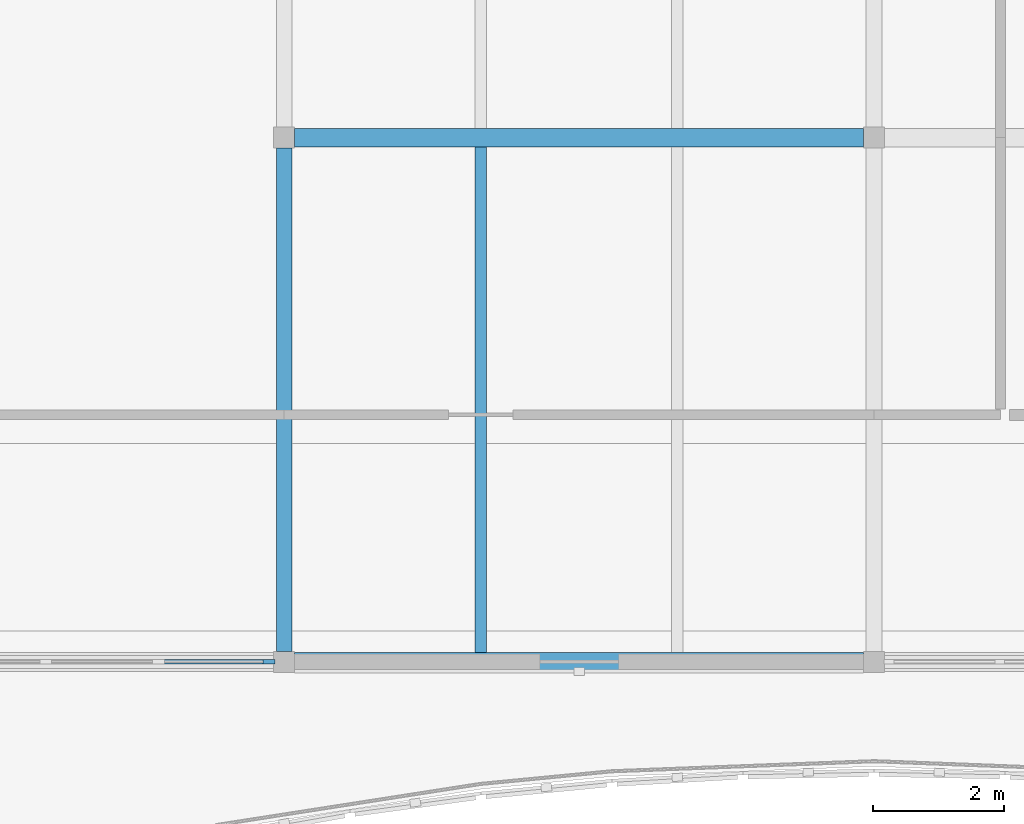
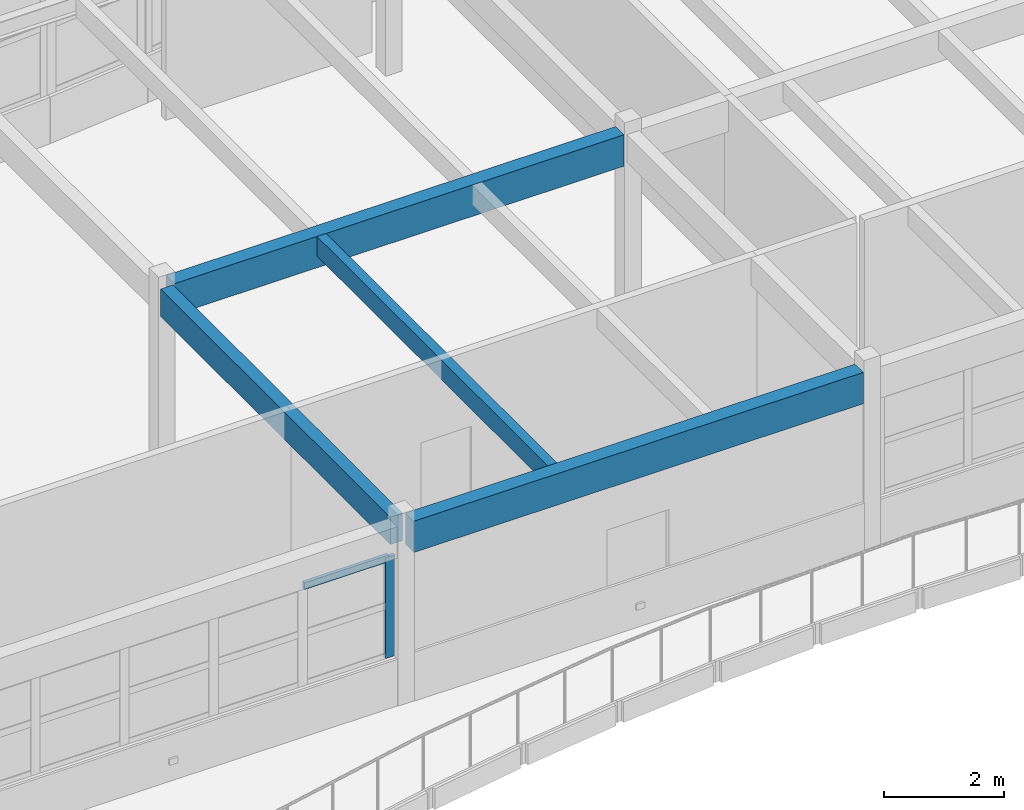
# One storey, part 3 of 33: 4 beams, 2 members, 1 element without a shape of its own.
"""IFC4 building model written with IfcOpenShell, lengths in metres."""

from ifc_helpers import new_model, si_unit, direction, frame, origin, origin_2d, place, context, subcontext, project, spatial, rectangle, extrude, material, layer, layer_set, material_profile, profile_set, type_object, element, aggregate, save


model = new_model("IFC4")

# Units and contexts
model_context = context("Model", 3, precision=1e-05, world=origin(), true_north=direction((0.0, 1.0)))
body_context = subcontext(model_context, "Body", "Model", "MODEL_VIEW")
ifc_project = project(units=[si_unit("LENGTHUNIT", "METRE"), si_unit("AREAUNIT", "SQUARE_METRE"), si_unit("VOLUMEUNIT", "CUBIC_METRE"), si_unit("PLANEANGLEUNIT", "RADIAN"), si_unit("MASSUNIT", "GRAM", prefix="KILO")], contexts=[model_context])

# Site, building, storey
site_placement = place(None, origin())
site = spatial("IfcSite", under=ifc_project, at=site_placement, CompositionType="ELEMENT")
building_placement = place(site_placement, origin())
building = spatial("IfcBuilding", under=site, at=building_placement, Name="Tonlespit Floodbar School", CompositionType="ELEMENT")
storey_placement = place(building_placement, frame((0.0, 0.0, 16.199951171875)))
storey = spatial("IfcBuildingStorey", under=building, at=storey_placement, Name="L04", CompositionType="ELEMENT", Elevation=16.199951171875)

# Beams
ifc_material_1 = material(Name="Glulam GL28h", Category="wood")
ifc_material_profile_1 = material_profile(ifc_material_1, rectangle(XDim=0.239990234375, YDim=0.56005859375, at=origin_2d()), Name="GL 240x560")
ifc_profile_set_1 = profile_set([ifc_material_profile_1], Name="Glulam GL28h")
beam_type_1 = type_object("IfcBeamType", Name="Beam_GL_240x560", PredefinedType="BEAM", material=ifc_profile_set_1)
beam_1_placement = place(storey_placement, frame((71.0, 104.159912109375, 3.3681640625), z_axis=(0.0, 1.0, 0.0), x_axis=(-1.0, 0.0, 0.0)))
element("IfcBeam", 1, at=beam_1_placement, inside=storey, type_object=beam_type_1, Name="L04 girder 1312", PredefinedType="BEAM", context=body_context, shape_type="SweptSolid", body=[
    extrude(rectangle(XDim=0.239990234375, YDim=0.56005859375, at=origin_2d()), origin(), (0.0, 0.0, 1.0), 7.68017578125),
])
ifc_material_profile_2 = material_profile(ifc_material_1, rectangle(XDim=0.280029296875, YDim=0.639892578125, at=origin_2d()), Name="GL 280x640")
ifc_profile_set_2 = profile_set([ifc_material_profile_2], Name="Glulam GL28h")
beam_type_2 = type_object("IfcBeamType", Name="Beam_GL_280x640", PredefinedType="BEAM", material=ifc_profile_set_2)
for number, where, z_axis, x_axis, name in (
    (2, (71.159912109375, 104.0, 3.330078125), (1.0, 0.0, 0.0), (0.0, 1.0, 0.0), "L04 girder 1282"),
    (3, (71.159912109375, 112.0, 3.328125), (1.0, 0.0, 0.0), (0.0, 1.0, 0.0), "L04 girder 1292"),
):
    element("IfcBeam", number, at=place(storey_placement, frame(where, z_axis=z_axis, x_axis=x_axis)), inside=storey, type_object=beam_type_2, Name=name, PredefinedType="BEAM", context=body_context, shape_type="SweptSolid", body=[
        extrude(rectangle(XDim=0.280029296875, YDim=0.639892578125, at=origin_2d()), origin(), (0.0, 0.0, 1.0), 8.68017578125),
    ])

# Curtain wall, members
ifc_material_2 = material(Name="Anodised Aluminium", Category="aluminium")
ifc_layer = layer(ifc_material_2, 0.159912109375)
ifc_layer_set = layer_set([ifc_layer], Name="Anodised Aluminium")
curtain_wall_type = type_object("IfcCurtainWallType", Name="CurtainWall_8600x2050", PredefinedType="NOTDEFINED", material=ifc_layer_set)
curtain_wall_placement = place(storey_placement, origin())
curtain_wall = element("IfcCurtainWall", 4, at=curtain_wall_placement, inside=storey, type_object=curtain_wall_type, Name="L04 unitised curtain wall 0205", PredefinedType="NOTDEFINED")
ifc_material_profile_3 = material_profile(ifc_material_2, rectangle(XDim=0.06494140625, YDim=0.179931640625, at=origin_2d()), Name="ALU M65x180")
ifc_profile_set_3 = profile_set([ifc_material_profile_3], Name="Anodised Aluminium")
member_type_1 = type_object("IfcMemberType", Name="CW_Mullion_65x180", PredefinedType="MULLION", material=ifc_profile_set_3)
member_1_placement = place(storey_placement, frame((70.767578125, 104.0, 0.949951171875), z_axis=(0.0, 0.0, 1.0), x_axis=(0.0, -1.0, 0.0)))
member_1 = element("IfcMember", 5, at=member_1_placement, type_object=member_type_1, Name="CW-08 mullion 1", PredefinedType="MULLION", context=body_context, shape_type="SweptSolid", body=[
    extrude(rectangle(XDim=0.06494140625, YDim=0.179931640625, at=origin_2d()), origin(), (0.0, 0.0, 1.0), 2.05810546875),
])
ifc_material_profile_4 = material_profile(ifc_material_2, rectangle(XDim=0.06494140625, YDim=0.139892578125, at=origin_2d()), Name="ALU T65x140")
ifc_profile_set_4 = profile_set([ifc_material_profile_4], Name="Anodised Aluminium")
member_type_2 = type_object("IfcMemberType", Name="CW_Transom_65x140", PredefinedType="USERDEFINED", material=ifc_profile_set_4)
member_2_placement = place(storey_placement, frame((70.735107421875, 104.0, 2.9755859375), z_axis=(-1.0, 0.0, 0.0), x_axis=(0.0, -1.0, 0.0)))
member_2 = element("IfcMember", 6, at=member_2_placement, type_object=member_type_2, Name="CW-08 transom 1.3", ObjectType="TRANSOM", PredefinedType="USERDEFINED", context=body_context, shape_type="SweptSolid", body=[
    extrude(rectangle(XDim=0.06494140625, YDim=0.139892578125, at=origin_2d()), origin(), (0.0, 0.0, 1.0), 1.62255859375),
])
aggregate(curtain_wall, [member_1, member_2])

# Beam
ifc_material_profile_5 = material_profile(ifc_material_1, rectangle(XDim=0.179931640625, YDim=0.39990234375, at=origin_2d()), Name="GL 180x400")
ifc_profile_set_5 = profile_set([ifc_material_profile_5], Name="Glulam GL28h")
beam_type_3 = type_object("IfcBeamType", Name="Joist_GL_180x400", PredefinedType="JOIST", material=ifc_profile_set_5)
beam_2_placement = place(storey_placement, frame((74.0, 104.139892578125, 3.447998046875), z_axis=(0.0, 1.0, 0.0), x_axis=(-1.0, 0.0, 0.0)))
element("IfcBeam", 7, at=beam_2_placement, inside=storey, type_object=beam_type_3, Name="L04 secondary joist 1322", PredefinedType="JOIST", context=body_context, shape_type="SweptSolid", body=[
    extrude(rectangle(XDim=0.179931640625, YDim=0.39990234375, at=origin_2d()), origin(), (0.0, 0.0, 1.0), 7.72021484375),
])

save(model, "model.ifc")
